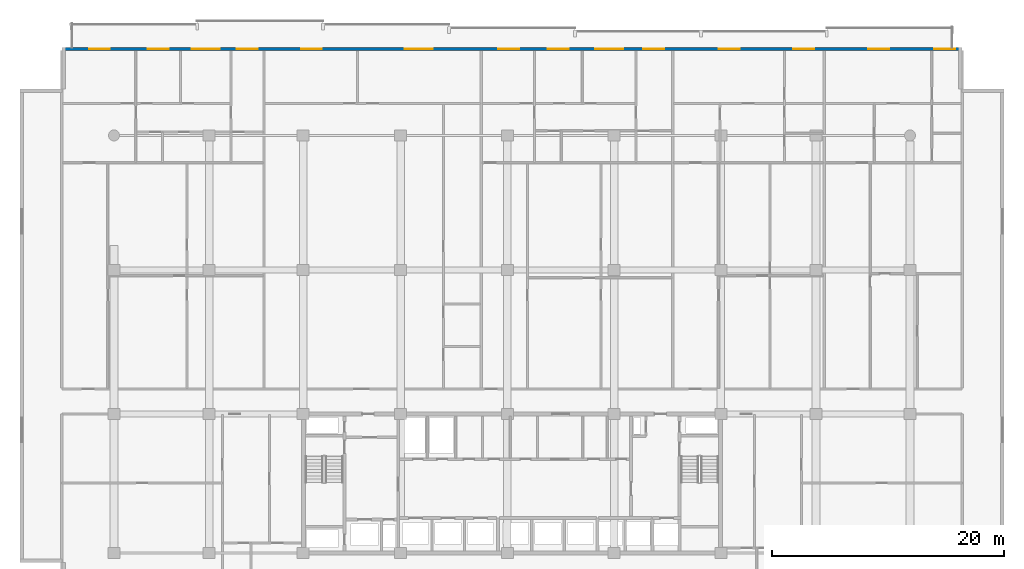
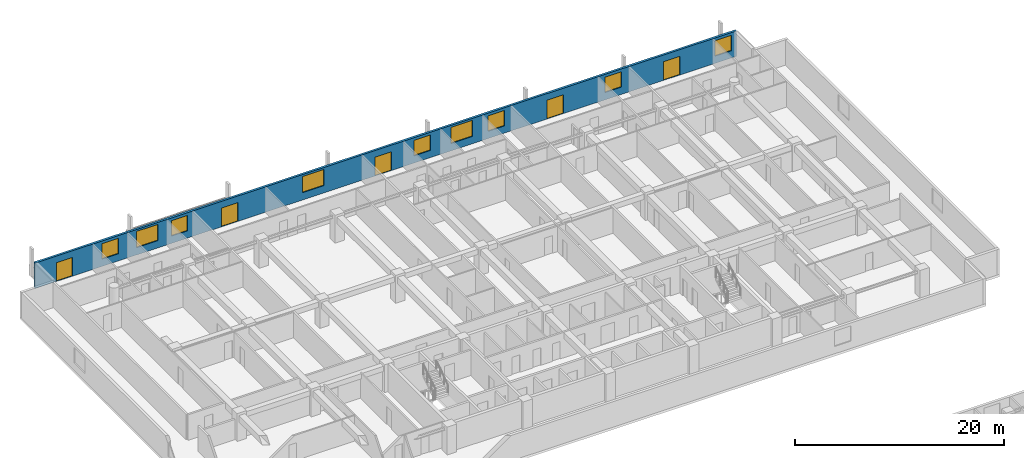
# One storey, part 16 of 23: 9 windows, 5 doors, 1 wall, 14 openings.
"""IFC4 building model written with IfcOpenShell, lengths in metres."""

import ifcopenshell
import ifcopenshell.guid

model = None  # the IFC model being written
_history = None  # IfcOwnerHistory: only IFC2X3 demands one
_inside = {}  # id of a spatial element -> (the spatial element, [elements in it])
_under = {}  # id of a project, library or spatial element -> (it, [spatial elements below it])
_declared = {}  # id of a project -> (the project, [libraries it declares])
_typed = {}  # id of a type object -> (the type object, [elements of that type])
_made_of = {}  # id of a material, layer set ... -> (it, [elements and type objects made of it])


def new_model(schema):
    """Start an empty IFC model of exactly this schema.

    Asked for "IFC4X3", IfcOpenShell would pick the latest addendum, in which some entities
    have other attributes; the version numbers below select the first issue.
    IFC2X3 requires an IfcOwnerHistory on every rooted entity: one is made here for all.
    """
    global model, _history
    if schema == "IFC4X3":
        model = ifcopenshell.file(schema_version=(4, 3, 0, 0))
    else:
        model = ifcopenshell.file(schema=schema)
    _inside.clear()
    _under.clear()
    _declared.clear()
    _typed.clear()
    _made_of.clear()
    _history = None
    if model.schema == "IFC2X3":
        org = make("IfcOrganization", Name="unknown")
        user = make(
            "IfcPersonAndOrganization",
            ThePerson=make("IfcPerson", FamilyName="unknown"),
            TheOrganization=org,
        )
        app = make(
            "IfcApplication",
            ApplicationDeveloper=org,
            Version="unknown",
            ApplicationFullName="unknown",
            ApplicationIdentifier="unknown",
        )
        _history = make(
            "IfcOwnerHistory",
            OwningUser=user,
            OwningApplication=app,
            ChangeAction="ADDED",
            CreationDate=0,
        )
    return model


def make(cls, **values):
    """One entity of the class cls with the attributes given. An attribute that is None is left unset."""
    return model.create_entity(
        cls, **{name: value for name, value in values.items() if value is not None}
    )


def rooted(cls, **values):
    """An entity with a GlobalId (a new one), such as an element, a storey or a relation."""
    return make(cls, GlobalId=ifcopenshell.guid.new(), OwnerHistory=_history, **values)


def si_unit(unit_type, name, prefix=None):
    """IfcSIUnit, for example si_unit("LENGTHUNIT", "METRE", prefix="MILLI")."""
    return make("IfcSIUnit", UnitType=unit_type, Prefix=prefix, Name=name)


def assignment(units):
    """IfcUnitAssignment: the units of a project."""
    return None if units is None else make("IfcUnitAssignment", Units=units)


def point(xyz):
    """IfcCartesianPoint."""
    return None if xyz is None else make("IfcCartesianPoint", Coordinates=xyz)


def direction(xyz):
    """IfcDirection."""
    return None if xyz is None else make("IfcDirection", DirectionRatios=xyz)


def frame(location, z_axis=None, x_axis=None):
    """IfcAxis2Placement3D, a coordinate frame: its origin and axes. An axis left out is left unset."""
    return make(
        "IfcAxis2Placement3D",
        Location=point(location),
        Axis=direction(z_axis),
        RefDirection=direction(x_axis),
    )


def frame_2d(location, x_axis=None):
    """IfcAxis2Placement2D, a coordinate frame in the plane: its origin and x axis."""
    return make(
        "IfcAxis2Placement2D", Location=point(location), RefDirection=direction(x_axis)
    )


def origin():
    """The frame at (0, 0, 0) with its axes left unset."""
    return frame((0.0, 0.0, 0.0))


def place(relative_to, where):
    """IfcLocalPlacement: puts the frame where relative to a parent placement (None: the world)."""
    return make(
        "IfcLocalPlacement", PlacementRelTo=relative_to, RelativePlacement=where
    )


def context(
    kind, dimensions, precision=None, world=None, true_north=None, identifier=None
):
    """IfcGeometricRepresentationContext, for example the 3D "Model" context."""
    return make(
        "IfcGeometricRepresentationContext",
        ContextIdentifier=identifier,
        ContextType=kind,
        CoordinateSpaceDimension=dimensions,
        Precision=precision,
        WorldCoordinateSystem=world,
        TrueNorth=true_north,
    )


def subcontext(parent, identifier, kind, view, scale=None):
    """IfcGeometricRepresentationSubContext, for example "Body" below "Model"."""
    return make(
        "IfcGeometricRepresentationSubContext",
        ContextIdentifier=identifier,
        ContextType=kind,
        ParentContext=parent,
        TargetScale=scale,
        TargetView=view,
    )


def project(units=None, contexts=None):
    """IfcProject with its units and contexts."""
    return rooted(
        "IfcProject",
        Name="project",
        RepresentationContexts=contexts,
        UnitsInContext=assignment(units),
    )


def spatial(cls, under=None, at=None, **own):
    """A site, building, storey or space (cls), placed at a placement, below another one or the project."""
    s = rooted(cls, ObjectPlacement=at, **own)
    if under is not None:
        _under.setdefault(under.id(), (under, []))[1].append(s)
    return s


def profile(cls, at=None, kind="AREA", **sizes):
    """A parametric profile (cls). Its sizes go by their IFC names, for example OverallWidth=200.0."""
    return make(cls, ProfileType=kind, Position=at, **sizes)


def rectangle(**sizes):
    """IfcRectangleProfileDef."""
    return profile("IfcRectangleProfileDef", **sizes)


def extrude(swept, where, along, depth):
    """IfcExtrudedAreaSolid: the profile swept, set in the frame where, extruded along a direction by depth."""
    return make(
        "IfcExtrudedAreaSolid",
        SweptArea=swept,
        Position=where,
        ExtrudedDirection=direction(along),
        Depth=depth,
    )


def shape(context_of_items, identifier, shape_type, items):
    """IfcShapeRepresentation: the items that make up one representation, for example the "Body"."""
    return make(
        "IfcShapeRepresentation",
        ContextOfItems=context_of_items,
        RepresentationIdentifier=identifier,
        RepresentationType=shape_type,
        Items=items,
    )


def material(Name=None, Category=None):
    """IfcMaterial."""
    return make("IfcMaterial", Name=Name, Category=Category)


def layer(
    of_material, thickness, ventilated=None, Name=None, Category=None, Priority=None
):
    """IfcMaterialLayer: one layer of a wall or slab, of a material (None: an air gap)."""
    return make(
        "IfcMaterialLayer",
        Material=of_material,
        LayerThickness=thickness,
        IsVentilated=ventilated,
        Name=Name,
        Category=Category,
        Priority=Priority,
    )


def layer_set(layers, Name=None):
    """IfcMaterialLayerSet."""
    return make("IfcMaterialLayerSet", MaterialLayers=layers, LayerSetName=Name)


def made_of(thing, what):
    """Note that an element or type object is made of a material, layer set ...; save() writes the relation."""
    if what is not None:
        _made_of.setdefault(what.id(), (what, []))[1].append(thing)
    return thing


def type_object(cls, material=None, **own):
    """A type object (cls), such as IfcWallType, which elements share."""
    return made_of(rooted(cls, **own), material)


def element(
    cls,
    number,
    at=None,
    inside=None,
    cuts=None,
    type_object=None,
    material=None,
    context=None,
    identifier="Body",
    shape_type=None,
    held_by="IfcProductDefinitionShape",
    body=None,
    shapes=None,
    **own,
):
    """One element of the class cls, such as IfcWall. Its Tag is "e" and its number.

    at: its placement. inside: the storey or other place that contains it. cuts: it is an
    opening in that element (IfcRelVoidsElement). A single representation is given by context,
    identifier, shape_type and body (its items); several are given by shapes. held_by: the class
    of the entity that holds the representations. save() writes the other relations.
    """
    e = rooted(cls, Tag="e%d" % number, ObjectPlacement=at, **own)
    if body is not None:
        shapes = [shape(context, identifier, shape_type, body)]
    if shapes is not None:
        e.Representation = make(held_by, Representations=shapes)
    if inside is not None:
        _inside.setdefault(inside.id(), (inside, []))[1].append(e)
    if cuts is not None:
        rooted(
            "IfcRelVoidsElement", RelatingBuildingElement=cuts, RelatedOpeningElement=e
        )
    if type_object is not None:
        _typed.setdefault(type_object.id(), (type_object, []))[1].append(e)
    return made_of(e, material)


def fill(opening, filler):
    """IfcRelFillsElement: the door or window that sits in an opening."""
    return rooted(
        "IfcRelFillsElement",
        RelatingOpeningElement=opening,
        RelatedBuildingElement=filler,
    )


def aggregate(whole, parts):
    """IfcRelAggregates: a whole, such as a stair, and the parts it consists of."""
    return rooted("IfcRelAggregates", RelatingObject=whole, RelatedObjects=parts)


def save(model, path):
    """Write the relations noted so far, then the file.

    IfcRelAggregates (storeys below a building ...), IfcRelContainedInSpatialStructure (elements
    in a storey), IfcRelDefinesByType, IfcRelAssociatesMaterial and IfcRelDeclares: one each for
    every whole, place, type object, material and project.
    """
    for whole, parts in _under.values():
        aggregate(whole, parts)
    for where, things in _inside.values():
        rooted(
            "IfcRelContainedInSpatialStructure",
            RelatedElements=things,
            RelatingStructure=where,
        )
    for kind, things in _typed.values():
        rooted("IfcRelDefinesByType", RelatedObjects=things, RelatingType=kind)
    for what, things in _made_of.values():
        rooted("IfcRelAssociatesMaterial", RelatedObjects=things, RelatingMaterial=what)
    for by, libraries in _declared.values():
        rooted("IfcRelDeclares", RelatingContext=by, RelatedDefinitions=libraries)
    model.write(path)


model = new_model("IFC4")

# Units and contexts
model_context = context("Model", 3, precision=1e-05, world=origin(), true_north=direction((0.0, 1.0)))
body_context = subcontext(model_context, "Body", "Model", "MODEL_VIEW")
ifc_project = project(units=[si_unit("LENGTHUNIT", "METRE"), si_unit("AREAUNIT", "SQUARE_METRE"), si_unit("VOLUMEUNIT", "CUBIC_METRE"), si_unit("PLANEANGLEUNIT", "RADIAN"), si_unit("MASSUNIT", "GRAM", prefix="KILO")], contexts=[model_context])

# Site, building, storey
site_placement = place(None, origin())
site = spatial("IfcSite", under=ifc_project, at=site_placement, CompositionType="ELEMENT")
building_placement = place(site_placement, origin())
building = spatial("IfcBuilding", under=site, at=building_placement, Name="Korimba Cascade Residences", CompositionType="ELEMENT")
storey_placement = place(building_placement, frame((0.0, 0.0, 69.5)))
storey = spatial("IfcBuildingStorey", under=building, at=storey_placement, Name="L19", CompositionType="ELEMENT", Elevation=69.5)

# Wall, openings, doors, windows
ifc_material_1 = material(Name="Precast concrete C40/50", Category="concrete")
ifc_layer = layer(ifc_material_1, 0.25)
ifc_layer_set = layer_set([ifc_layer], Name="Precast concrete C40/50")
wall_type = type_object("IfcWallType", Name="EW-LOG-250", PredefinedType="STANDARD", material=ifc_layer_set)
wall_placement = place(storey_placement, frame((132.89990234375, 98.64990234375, 0.0), z_axis=(0.0, 0.0, 1.0), x_axis=(-1.0, 0.0, 0.0)))
wall = element("IfcWall", 1, at=wall_placement, inside=storey, type_object=wall_type, Name="L19 T1 Perimeter Stone Wall E06", PredefinedType="STANDARD", context=body_context, shape_type="SweptSolid", body=[
    extrude(rectangle(XDim=77.599853515625, YDim=0.25, at=frame_2d((38.7998046875, 0.0))), origin(), (0.0, 0.0, 1.0), 2.969970703125),
])
opening_1_placement = place(wall_placement, frame((68.39501953125, 0.0, 0.85009765625)))
opening_1 = element("IfcOpeningElement", 2, at=opening_1_placement, cuts=wall, Name="Opening W-02", PredefinedType="OPENING", context=body_context, shape_type="SweptSolid", body=[
    extrude(rectangle(XDim=1.800048828125, YDim=1.800048828125, at=frame_2d((0.89990234375, 0.89990234375))), frame((0.0, 0.135009765625, 0.0), z_axis=(0.0, -1.0, 0.0), x_axis=(1.0, 0.0, 0.0)), (0.0, 0.0, 1.0), 0.27001953125),
])
opening_2_placement = place(wall_placement, frame((63.9951171875, 0.0, 0.85009765625)))
opening_2 = element("IfcOpeningElement", 3, at=opening_2_placement, cuts=wall, Name="Opening W-01", PredefinedType="OPENING", context=body_context, shape_type="SweptSolid", body=[
    extrude(rectangle(XDim=2.39990234375, YDim=1.89990234375, at=frame_2d((1.199951171875, 0.949951171875))), frame((0.0, 0.135009765625, 0.0), z_axis=(0.0, -1.0, 0.0), x_axis=(1.0, 0.0, 0.0)), (0.0, 0.0, 1.0), 0.27001953125),
])
opening_3_placement = place(wall_placement, frame((73.449951171875, 0.0, 0.0)))
opening_3 = element("IfcOpeningElement", 4, at=opening_3_placement, cuts=wall, Name="Opening D-LG1", PredefinedType="OPENING", context=body_context, shape_type="SweptSolid", body=[
    extrude(rectangle(XDim=1.800048828125, YDim=2.199951171875, at=frame_2d((0.89990234375, 1.10009765625))), frame((0.0, 0.135009765625, 0.0), z_axis=(0.0, -1.0, 0.0), x_axis=(1.0, 0.0, 0.0)), (0.0, 0.0, 1.0), 0.27001953125),
])
opening_4_placement = place(wall_placement, frame((60.727783203125, 0.0, 0.85009765625)))
opening_4 = element("IfcOpeningElement", 5, at=opening_4_placement, cuts=wall, Name="Opening W-02", PredefinedType="OPENING", context=body_context, shape_type="SweptSolid", body=[
    extrude(rectangle(XDim=1.800048828125, YDim=1.800048828125, at=frame_2d((0.89990234375, 0.89990234375))), frame((0.0, 0.135009765625, 0.0), z_axis=(0.0, -1.0, 0.0), x_axis=(1.0, 0.0, 0.0)), (0.0, 0.0, 1.0), 0.27001953125),
])
opening_5_placement = place(wall_placement, frame((55.1767578125, 0.0, 0.0)))
opening_5 = element("IfcOpeningElement", 6, at=opening_5_placement, cuts=wall, Name="Opening D-LG1", PredefinedType="OPENING", context=body_context, shape_type="SweptSolid", body=[
    extrude(rectangle(XDim=1.800048828125, YDim=2.199951171875, at=frame_2d((0.89990234375, 1.10009765625))), frame((0.0, 0.135009765625, 0.0), z_axis=(0.0, -1.0, 0.0), x_axis=(1.0, 0.0, 0.0)), (0.0, 0.0, 1.0), 0.27001953125),
])
opening_6_placement = place(wall_placement, frame((45.63330078125, 0.0, 0.85009765625)))
opening_6 = element("IfcOpeningElement", 7, at=opening_6_placement, cuts=wall, Name="Opening W-01", PredefinedType="OPENING", context=body_context, shape_type="SweptSolid", body=[
    extrude(rectangle(XDim=2.39990234375, YDim=1.89990234375, at=frame_2d((1.199951171875, 0.949951171875))), frame((0.0, 0.135009765625, 0.0), z_axis=(0.0, -1.0, 0.0), x_axis=(1.0, 0.0, 0.0)), (0.0, 0.0, 1.0), 0.27001953125),
])
opening_7_placement = place(wall_placement, frame((33.8994140625, 0.0, 0.85009765625)))
opening_7 = element("IfcOpeningElement", 8, at=opening_7_placement, cuts=wall, Name="Opening W-02", PredefinedType="OPENING", context=body_context, shape_type="SweptSolid", body=[
    extrude(rectangle(XDim=1.800048828125, YDim=1.800048828125, at=frame_2d((0.89990234375, 0.89990234375))), frame((0.0, 0.135009765625, 0.0), z_axis=(0.0, -1.0, 0.0), x_axis=(1.0, 0.0, 0.0)), (0.0, 0.0, 1.0), 0.27001953125),
])
opening_8_placement = place(wall_placement, frame((29.229736328125, 0.0, 0.85009765625)))
opening_8 = element("IfcOpeningElement", 9, at=opening_8_placement, cuts=wall, Name="Opening W-01", PredefinedType="OPENING", context=body_context, shape_type="SweptSolid", body=[
    extrude(rectangle(XDim=2.39990234375, YDim=1.89990234375, at=frame_2d((1.199951171875, 0.949951171875))), frame((0.0, 0.135009765625, 0.0), z_axis=(0.0, -1.0, 0.0), x_axis=(1.0, 0.0, 0.0)), (0.0, 0.0, 1.0), 0.27001953125),
])
opening_9_placement = place(wall_placement, frame((38.189208984375, 0.0, 0.0)))
opening_9 = element("IfcOpeningElement", 10, at=opening_9_placement, cuts=wall, Name="Opening D-LG1", PredefinedType="OPENING", context=body_context, shape_type="SweptSolid", body=[
    extrude(rectangle(XDim=1.800048828125, YDim=2.199951171875, at=frame_2d((0.89990234375, 1.10009765625))), frame((0.0, 0.135009765625, 0.0), z_axis=(0.0, -1.0, 0.0), x_axis=(1.0, 0.0, 0.0)), (0.0, 0.0, 1.0), 0.27001953125),
])
opening_10_placement = place(wall_placement, frame((25.69580078125, 0.0, 0.85009765625)))
opening_10 = element("IfcOpeningElement", 11, at=opening_10_placement, cuts=wall, Name="Opening W-02", PredefinedType="OPENING", context=body_context, shape_type="SweptSolid", body=[
    extrude(rectangle(XDim=1.800048828125, YDim=1.800048828125, at=frame_2d((0.89990234375, 0.89990234375))), frame((0.0, 0.135009765625, 0.0), z_axis=(0.0, -1.0, 0.0), x_axis=(1.0, 0.0, 0.0)), (0.0, 0.0, 1.0), 0.27001953125),
])
opening_11_placement = place(wall_placement, frame((19.177001953125, 0.0, 0.0)))
opening_11 = element("IfcOpeningElement", 12, at=opening_11_placement, cuts=wall, Name="Opening D-LG1", PredefinedType="OPENING", context=body_context, shape_type="SweptSolid", body=[
    extrude(rectangle(XDim=1.800048828125, YDim=2.199951171875, at=frame_2d((0.89990234375, 1.10009765625))), frame((0.0, 0.135009765625, 0.0), z_axis=(0.0, -1.0, 0.0), x_axis=(1.0, 0.0, 0.0)), (0.0, 0.0, 1.0), 0.27001953125),
])
opening_12_placement = place(wall_placement, frame((12.7724609375, 0.0, 0.85009765625)))
opening_12 = element("IfcOpeningElement", 13, at=opening_12_placement, cuts=wall, Name="Opening W-02", PredefinedType="OPENING", context=body_context, shape_type="SweptSolid", body=[
    extrude(rectangle(XDim=1.800048828125, YDim=1.800048828125, at=frame_2d((0.89990234375, 0.89990234375))), frame((0.0, 0.135009765625, 0.0), z_axis=(0.0, -1.0, 0.0), x_axis=(1.0, 0.0, 0.0)), (0.0, 0.0, 1.0), 0.27001953125),
])
opening_13_placement = place(wall_placement, frame((6.30126953125, 0.0, 0.0)))
opening_13 = element("IfcOpeningElement", 14, at=opening_13_placement, cuts=wall, Name="Opening D-LG1", PredefinedType="OPENING", context=body_context, shape_type="SweptSolid", body=[
    extrude(rectangle(XDim=1.800048828125, YDim=2.199951171875, at=frame_2d((0.89990234375, 1.10009765625))), frame((0.0, 0.135009765625, 0.0), z_axis=(0.0, -1.0, 0.0), x_axis=(1.0, 0.0, 0.0)), (0.0, 0.0, 1.0), 0.27001953125),
])
opening_14_placement = place(wall_placement, frame((0.60009765625, 0.0, 0.85009765625)))
opening_14 = element("IfcOpeningElement", 15, at=opening_14_placement, cuts=wall, Name="Opening W-02", PredefinedType="OPENING", context=body_context, shape_type="SweptSolid", body=[
    extrude(rectangle(XDim=1.800048828125, YDim=1.800048828125, at=frame_2d((0.89990234375, 0.89990234375))), frame((0.0, 0.135009765625, 0.0), z_axis=(0.0, -1.0, 0.0), x_axis=(1.0, 0.0, 0.0)), (0.0, 0.0, 1.0), 0.27001953125),
])
ifc_material_2 = material(Name="Glazed Aluminium Loggia Sliding Door", Category="aluminium")
door_type = type_object("IfcDoorType", Name="DR-EXT-LOG", OperationType="NOTDEFINED", PredefinedType="DOOR", material=ifc_material_2)
door_1_placement = place(opening_3_placement, origin())
door_1 = element("IfcDoor", 16, at=door_1_placement, inside=storey, type_object=door_type, Name="L19 T1 Loggia Sliding Door 5", OperationType="SLIDING_TO_LEFT", OverallHeight=2.199951171875, OverallWidth=1.800048828125, PredefinedType="DOOR", context=body_context, shape_type="SweptSolid", body=[
    extrude(rectangle(XDim=1.800048828125, YDim=2.199951171875, at=frame_2d((0.89990234375, 1.10009765625))), frame((0.0, 0.02490234375, 0.0), z_axis=(0.0, -1.0, 0.0), x_axis=(1.0, 0.0, 0.0)), (0.0, 0.0, 1.0), 0.050048828125),
])
fill(opening_3, door_1)
door_2_placement = place(opening_5_placement, origin())
door_2 = element("IfcDoor", 17, at=door_2_placement, inside=storey, type_object=door_type, Name="L19 T1 Loggia Sliding Door 7", OperationType="SLIDING_TO_LEFT", OverallHeight=2.199951171875, OverallWidth=1.800048828125, PredefinedType="DOOR", context=body_context, shape_type="SweptSolid", body=[
    extrude(rectangle(XDim=1.800048828125, YDim=2.199951171875, at=frame_2d((0.89990234375, 1.10009765625))), frame((0.0, 0.02490234375, 0.0), z_axis=(0.0, -1.0, 0.0), x_axis=(1.0, 0.0, 0.0)), (0.0, 0.0, 1.0), 0.050048828125),
])
fill(opening_5, door_2)
door_3_placement = place(opening_9_placement, origin())
door_3 = element("IfcDoor", 18, at=door_3_placement, inside=storey, type_object=door_type, Name="L19 T1 Loggia Sliding Door 11", OperationType="SLIDING_TO_LEFT", OverallHeight=2.199951171875, OverallWidth=1.800048828125, PredefinedType="DOOR", context=body_context, shape_type="SweptSolid", body=[
    extrude(rectangle(XDim=1.800048828125, YDim=2.199951171875, at=frame_2d((0.89990234375, 1.10009765625))), frame((0.0, 0.02490234375, 0.0), z_axis=(0.0, -1.0, 0.0), x_axis=(1.0, 0.0, 0.0)), (0.0, 0.0, 1.0), 0.050048828125),
])
fill(opening_9, door_3)
door_4_placement = place(opening_11_placement, origin())
door_4 = element("IfcDoor", 19, at=door_4_placement, inside=storey, type_object=door_type, Name="L19 T1 Loggia Sliding Door 13", OperationType="SLIDING_TO_LEFT", OverallHeight=2.199951171875, OverallWidth=1.800048828125, PredefinedType="DOOR", context=body_context, shape_type="SweptSolid", body=[
    extrude(rectangle(XDim=1.800048828125, YDim=2.199951171875, at=frame_2d((0.89990234375, 1.10009765625))), frame((0.0, 0.02490234375, 0.0), z_axis=(0.0, -1.0, 0.0), x_axis=(1.0, 0.0, 0.0)), (0.0, 0.0, 1.0), 0.050048828125),
])
fill(opening_11, door_4)
door_5_placement = place(opening_13_placement, origin())
door_5 = element("IfcDoor", 20, at=door_5_placement, inside=storey, type_object=door_type, Name="L19 T1 Loggia Sliding Door 15", OperationType="SLIDING_TO_LEFT", OverallHeight=2.199951171875, OverallWidth=1.800048828125, PredefinedType="DOOR", context=body_context, shape_type="SweptSolid", body=[
    extrude(rectangle(XDim=1.800048828125, YDim=2.199951171875, at=frame_2d((0.89990234375, 1.10009765625))), frame((0.0, 0.02490234375, 0.0), z_axis=(0.0, -1.0, 0.0), x_axis=(1.0, 0.0, 0.0)), (0.0, 0.0, 1.0), 0.050048828125),
])
fill(opening_13, door_5)
ifc_material_3 = material(Name="Double-Glazed Aluminium Window", Category="aluminium")
window_type_1 = type_object("IfcWindowType", Name="WIN-BED-1800", PartitioningType="SINGLE_PANEL", PredefinedType="WINDOW", material=ifc_material_3)
window_1_placement = place(opening_1_placement, origin())
window_1 = element("IfcWindow", 21, at=window_1_placement, inside=storey, type_object=window_type_1, Name="L19 T1 North Facade Window 3", OverallHeight=1.800048828125, OverallWidth=1.800048828125, PartitioningType="SINGLE_PANEL", PredefinedType="WINDOW", context=body_context, shape_type="SweptSolid", body=[
    extrude(rectangle(XDim=1.800048828125, YDim=1.800048828125, at=frame_2d((0.89990234375, 0.89990234375))), frame((0.0, 0.030029296875, 0.0), z_axis=(0.0, -1.0, 0.0), x_axis=(1.0, 0.0, 0.0)), (0.0, 0.0, 1.0), 0.06005859375),
])
fill(opening_1, window_1)
window_2_placement = place(opening_4_placement, origin())
window_2 = element("IfcWindow", 22, at=window_2_placement, inside=storey, type_object=window_type_1, Name="L19 T1 North Facade Window 6", OverallHeight=1.800048828125, OverallWidth=1.800048828125, PartitioningType="SINGLE_PANEL", PredefinedType="WINDOW", context=body_context, shape_type="SweptSolid", body=[
    extrude(rectangle(XDim=1.800048828125, YDim=1.800048828125, at=frame_2d((0.89990234375, 0.89990234375))), frame((0.0, 0.030029296875, 0.0), z_axis=(0.0, -1.0, 0.0), x_axis=(1.0, 0.0, 0.0)), (0.0, 0.0, 1.0), 0.06005859375),
])
fill(opening_4, window_2)
window_3_placement = place(opening_7_placement, origin())
window_3 = element("IfcWindow", 23, at=window_3_placement, inside=storey, type_object=window_type_1, Name="L19 T1 North Facade Window 9", OverallHeight=1.800048828125, OverallWidth=1.800048828125, PartitioningType="SINGLE_PANEL", PredefinedType="WINDOW", context=body_context, shape_type="SweptSolid", body=[
    extrude(rectangle(XDim=1.800048828125, YDim=1.800048828125, at=frame_2d((0.89990234375, 0.89990234375))), frame((0.0, 0.030029296875, 0.0), z_axis=(0.0, -1.0, 0.0), x_axis=(1.0, 0.0, 0.0)), (0.0, 0.0, 1.0), 0.06005859375),
])
fill(opening_7, window_3)
window_4_placement = place(opening_10_placement, origin())
window_4 = element("IfcWindow", 24, at=window_4_placement, inside=storey, type_object=window_type_1, Name="L19 T1 North Facade Window 12", OverallHeight=1.800048828125, OverallWidth=1.800048828125, PartitioningType="SINGLE_PANEL", PredefinedType="WINDOW", context=body_context, shape_type="SweptSolid", body=[
    extrude(rectangle(XDim=1.800048828125, YDim=1.800048828125, at=frame_2d((0.89990234375, 0.89990234375))), frame((0.0, 0.030029296875, 0.0), z_axis=(0.0, -1.0, 0.0), x_axis=(1.0, 0.0, 0.0)), (0.0, 0.0, 1.0), 0.06005859375),
])
fill(opening_10, window_4)
window_5_placement = place(opening_12_placement, origin())
window_5 = element("IfcWindow", 25, at=window_5_placement, inside=storey, type_object=window_type_1, Name="L19 T1 North Facade Window 14", OverallHeight=1.800048828125, OverallWidth=1.800048828125, PartitioningType="SINGLE_PANEL", PredefinedType="WINDOW", context=body_context, shape_type="SweptSolid", body=[
    extrude(rectangle(XDim=1.800048828125, YDim=1.800048828125, at=frame_2d((0.89990234375, 0.89990234375))), frame((0.0, 0.030029296875, 0.0), z_axis=(0.0, -1.0, 0.0), x_axis=(1.0, 0.0, 0.0)), (0.0, 0.0, 1.0), 0.06005859375),
])
fill(opening_12, window_5)
window_6_placement = place(opening_14_placement, origin())
window_6 = element("IfcWindow", 26, at=window_6_placement, inside=storey, type_object=window_type_1, Name="L19 T1 North Facade Window 16", OverallHeight=1.800048828125, OverallWidth=1.800048828125, PartitioningType="SINGLE_PANEL", PredefinedType="WINDOW", context=body_context, shape_type="SweptSolid", body=[
    extrude(rectangle(XDim=1.800048828125, YDim=1.800048828125, at=frame_2d((0.89990234375, 0.89990234375))), frame((0.0, 0.030029296875, 0.0), z_axis=(0.0, -1.0, 0.0), x_axis=(1.0, 0.0, 0.0)), (0.0, 0.0, 1.0), 0.06005859375),
])
fill(opening_14, window_6)
window_type_2 = type_object("IfcWindowType", Name="WIN-RES-2400", PartitioningType="DOUBLE_PANEL_VERTICAL", PredefinedType="WINDOW", material=ifc_material_3)
window_7_placement = place(opening_2_placement, origin())
window_7 = element("IfcWindow", 27, at=window_7_placement, inside=storey, type_object=window_type_2, Name="L19 T1 North Facade Window 4", OverallHeight=1.89990234375, OverallWidth=2.39990234375, PartitioningType="DOUBLE_PANEL_VERTICAL", PredefinedType="WINDOW", context=body_context, shape_type="SweptSolid", body=[
    extrude(rectangle(XDim=2.39990234375, YDim=1.89990234375, at=frame_2d((1.199951171875, 0.949951171875))), frame((0.0, 0.030029296875, 0.0), z_axis=(0.0, -1.0, 0.0), x_axis=(1.0, 0.0, 0.0)), (0.0, 0.0, 1.0), 0.06005859375),
])
fill(opening_2, window_7)
window_8_placement = place(opening_6_placement, origin())
window_8 = element("IfcWindow", 28, at=window_8_placement, inside=storey, type_object=window_type_2, Name="L19 T1 North Facade Window 8", OverallHeight=1.89990234375, OverallWidth=2.39990234375, PartitioningType="DOUBLE_PANEL_VERTICAL", PredefinedType="WINDOW", context=body_context, shape_type="SweptSolid", body=[
    extrude(rectangle(XDim=2.39990234375, YDim=1.89990234375, at=frame_2d((1.199951171875, 0.949951171875))), frame((0.0, 0.030029296875, 0.0), z_axis=(0.0, -1.0, 0.0), x_axis=(1.0, 0.0, 0.0)), (0.0, 0.0, 1.0), 0.06005859375),
])
fill(opening_6, window_8)
window_9_placement = place(opening_8_placement, origin())
window_9 = element("IfcWindow", 29, at=window_9_placement, inside=storey, type_object=window_type_2, Name="L19 T1 North Facade Window 10", OverallHeight=1.89990234375, OverallWidth=2.39990234375, PartitioningType="DOUBLE_PANEL_VERTICAL", PredefinedType="WINDOW", context=body_context, shape_type="SweptSolid", body=[
    extrude(rectangle(XDim=2.39990234375, YDim=1.89990234375, at=frame_2d((1.199951171875, 0.949951171875))), frame((0.0, 0.030029296875, 0.0), z_axis=(0.0, -1.0, 0.0), x_axis=(1.0, 0.0, 0.0)), (0.0, 0.0, 1.0), 0.06005859375),
])
fill(opening_8, window_9)

save(model, "model.ifc")
